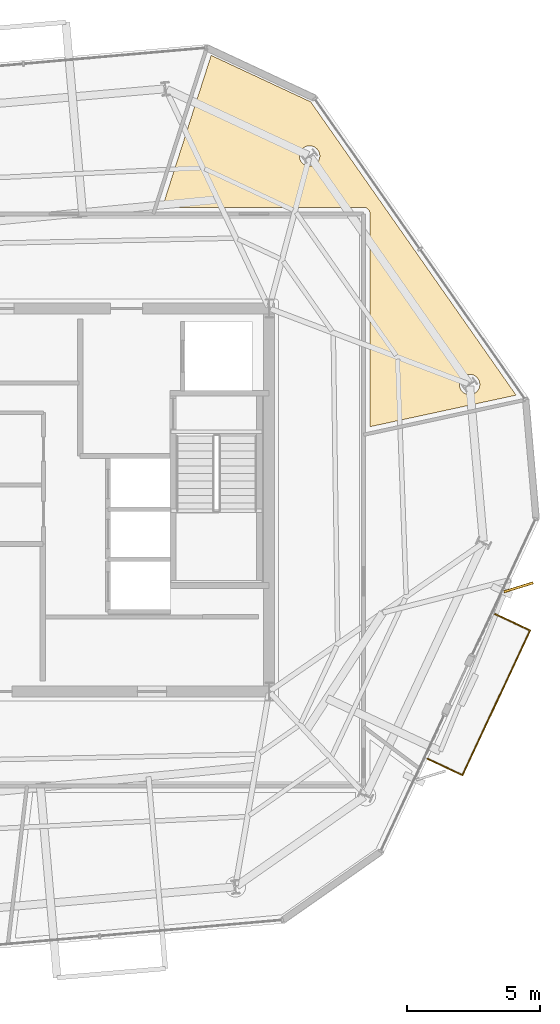
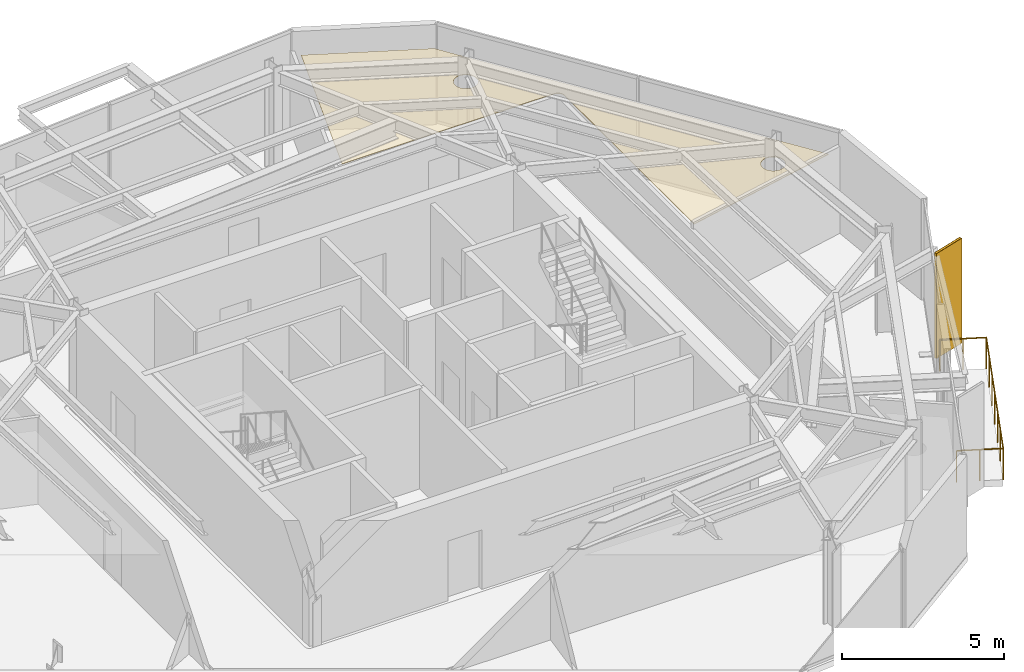
# One storey, part 11 of 11: 2 coverings, 1 railing, 1 shading device.
"""IFC4 building model written with IfcOpenShell, lengths in metres."""

from ifc_helpers import new_model, si_unit, direction, frame, origin, origin_2d, place, context, subcontext, project, spatial, polyline, rectangle, circle, outline, extrude, material, layer, layer_set, type_object, element, save


model = new_model("IFC4")

# Units and contexts
model_context = context("Model", 3, precision=1e-05, world=origin(), true_north=direction((0.0, 1.0)))
body_context = subcontext(model_context, "Body", "Model", "MODEL_VIEW")
ifc_project = project(units=[si_unit("LENGTHUNIT", "METRE"), si_unit("AREAUNIT", "SQUARE_METRE"), si_unit("VOLUMEUNIT", "CUBIC_METRE"), si_unit("PLANEANGLEUNIT", "RADIAN"), si_unit("MASSUNIT", "GRAM", prefix="KILO")], contexts=[model_context])

# Site, building, storey
site_placement = place(None, origin())
site = spatial("IfcSite", under=ifc_project, at=site_placement, CompositionType="ELEMENT")
building_placement = place(site_placement, origin())
building = spatial("IfcBuilding", under=site, at=building_placement, Name="Kranzbogen Civic Tower", CompositionType="ELEMENT")
storey_placement = place(building_placement, frame((0.0, 0.0, 286.199951171875)))
storey = spatial("IfcBuildingStorey", under=building, at=storey_placement, Name="L69", CompositionType="ELEMENT", Elevation=286.199951171875)

# Covering
ifc_material_1 = material(Name="Pale Anodised Aluminium", Category="aluminium")
ifc_layer_1 = layer(ifc_material_1, 0.02490234375, Name="Pale Anodised Aluminium")
ifc_layer_set_1 = layer_set([ifc_layer_1], Name="Pale Anodised Aluminium")
covering_type_1 = type_object("IfcCoveringType", Name="Anodised Aluminium Vertical Fin Cladding 25 mm", PredefinedType="CLADDING", material=ifc_layer_set_1)
covering_1_placement = place(storey_placement, frame((42.174072265625, 21.719970703125, -0.139892578125), z_axis=(0.0, 0.0, 1.0), x_axis=(0.955885343123, 0.293740039496, 0.0)))
element("IfcCovering", 1, at=covering_1_placement, inside=storey, type_object=covering_type_1, Name="L69 vertical fin pale-metal cladding F5-4", PredefinedType="CLADDING", context=body_context, shape_type="SweptSolid", body=[
    extrude(rectangle(XDim=1.14990234375, YDim=0.094970703125, at=origin_2d()), origin(), (0.0, 0.0, 1.0), 3.9599609375),
])

# Railing
ifc_material_2 = material(Name="Anodised Bronze Aluminium", Category="aluminium")
railing_type = type_object("IfcRailingType", Name="Cantilevered Balcony Glass and Bronze Balustrade 1200", PredefinedType="BALUSTRADE", material=ifc_material_2)
railing_placement = place(storey_placement, frame((38.75390625, 15.27587890625, 0.0)))
element("IfcRailing", 2, at=railing_placement, inside=storey, type_object=railing_type, Name="L69 exterior terrace balustrade L69-TB1", PredefinedType="BALUSTRADE", context=body_context, shape_type="SweptSolid", body=[
    extrude(circle(Radius=0.02392578125, at=origin_2d()), frame((0.0, 0.0, 1.17578125), z_axis=(0.906316436236, -0.422599712977, 0.0), x_axis=(0.422599712977, 0.906316436236, 0.0)), (0.0, 0.0, 1.0), 1.449951171875),
    extrude(circle(Radius=0.02392578125, at=origin_2d()), frame((1.314208984375, -0.61279296875, 1.17578125), z_axis=(0.422633743245, 0.906300567732, 0.0), x_axis=(-0.906300567732, 0.422633743245, 0.0)), (0.0, 0.0, 1.0), 6.000244140625),
    extrude(circle(Radius=0.02392578125, at=origin_2d()), frame((3.85009765625, 4.8251953125, 1.17578125), z_axis=(-0.906221851337, 0.422802502547, 0.0), x_axis=(-0.422802502547, -0.906221851337, 0.0)), (0.0, 0.0, 1.0), 1.449951171875),
    extrude(circle(Radius=0.02099609375, at=origin_2d()), origin(), (0.0, 0.0, 1.0), 1.15185546875),
    extrude(circle(Radius=0.02099609375, at=origin_2d()), frame((0.6572265625, -0.306396484375, 0.0)), (0.0, 0.0, 1.0), 1.15185546875),
    extrude(circle(Radius=0.02099609375, at=origin_2d()), frame((1.314208984375, -0.61279296875, 0.0)), (0.0, 0.0, 1.0), 1.15185546875),
    extrude(circle(Radius=0.02099609375, at=origin_2d()), frame((1.73681640625, 0.29345703125, 0.0)), (0.0, 0.0, 1.0), 1.15185546875),
    extrude(circle(Radius=0.02099609375, at=origin_2d()), frame((2.159423828125, 1.199951171875, 0.0)), (0.0, 0.0, 1.0), 1.15185546875),
    extrude(circle(Radius=0.02099609375, at=origin_2d()), frame((2.58203125, 2.106201171875, 0.0)), (0.0, 0.0, 1.0), 1.15185546875),
    extrude(circle(Radius=0.02099609375, at=origin_2d()), frame((3.0048828125, 3.012451171875, 0.0)), (0.0, 0.0, 1.0), 1.15185546875),
    extrude(circle(Radius=0.02099609375, at=origin_2d()), frame((3.427490234375, 3.9189453125, 0.0)), (0.0, 0.0, 1.0), 1.15185546875),
    extrude(circle(Radius=0.02099609375, at=origin_2d()), frame((3.85009765625, 4.8251953125, 0.0)), (0.0, 0.0, 1.0), 1.15185546875),
    extrude(circle(Radius=0.02099609375, at=origin_2d()), frame((3.193115234375, 5.1318359375, 0.0)), (0.0, 0.0, 1.0), 1.15185546875),
    extrude(circle(Radius=0.02099609375, at=origin_2d()), frame((2.5361328125, 5.438232421875, 0.0)), (0.0, 0.0, 1.0), 1.15185546875),
])

# Shading device
shading_device_type = type_object("IfcShadingDeviceType", Name="Pale Anodised Aluminium Crown Fin 1150x75", PredefinedType="USERDEFINED", material=ifc_material_1)
shading_device_placement = place(storey_placement, frame((42.174072265625, 21.719970703125, -0.139892578125), z_axis=(0.0, 0.0, 1.0), x_axis=(0.955885343123, 0.293740039496, 0.0)))
element("IfcShadingDevice", 3, at=shading_device_placement, inside=storey, type_object=shading_device_type, Name="L69 vertical exterior shading fin F5-4", ObjectType="FIN", PredefinedType="USERDEFINED", context=body_context, shape_type="SweptSolid", body=[
    extrude(rectangle(XDim=1.14990234375, YDim=0.074951171875, at=origin_2d()), origin(), (0.0, 0.0, 1.0), 3.9599609375),
])

# Covering
ifc_material_3 = material(Name="Perforated Acoustic Gypsum Ceiling")
ifc_layer_2 = layer(ifc_material_3, 0.02490234375, Name="Perforated Acoustic Gypsum Ceiling")
ifc_layer_set_2 = layer_set([ifc_layer_2], Name="Perforated Acoustic Gypsum Ceiling")
covering_type_2 = type_object("IfcCoveringType", Name="Perforated Acoustic Mineral Ceiling Tile 25 mm", PredefinedType="CEILING", material=ifc_layer_set_2)
covering_2_placement = place(storey_placement, frame((0.0, 0.0, 2.900146484375)))
element("IfcCovering", 4, at=covering_2_placement, inside=storey, type_object=covering_type_2, Name="L69 Hospitality Catering Kitchen acoustic ceiling", PredefinedType="CEILING", context=body_context, shape_type="SweptSolid", body=[
    extrude(outline(polyline([(36.594970703125, 27.7548828125), (36.594970703125, 35.75), (36.594970703125, 35.759033203125), (36.593994140625, 35.764892578125), (36.593017578125, 35.782958984375), (36.592041015625, 35.7890625), (36.587890625, 35.805908203125), (36.5869140625, 35.81298828125), (36.58203125, 35.830078125), (36.580078125, 35.8359375), (36.572998046875, 35.85205078125), (36.570068359375, 35.85791015625), (36.56201171875, 35.873046875), (36.55810546875, 35.87890625), (36.549072265625, 35.89306640625), (36.544921875, 35.89794921875), (36.533935546875, 35.912109375), (36.529052734375, 35.9169921875), (36.51708984375, 35.928955078125), (36.511962890625, 35.93408203125), (36.498046875, 35.945068359375), (36.492919921875, 35.948974609375), (36.47900390625, 35.9580078125), (36.472900390625, 35.9619140625), (36.4580078125, 35.969970703125), (36.451904296875, 35.972900390625), (36.43603515625, 35.97998046875), (36.429931640625, 35.98193359375), (36.4130859375, 35.987060546875), (36.406005859375, 35.988037109375), (36.388916015625, 35.991943359375), (36.383056640625, 35.992919921875), (36.364990234375, 35.993896484375), (36.35888671875, 35.9951171875), (36.35009765625, 35.9951171875), (28.7900390625, 35.9951171875), (30.6240234375, 41.7041015625), (34.363037109375, 39.9599609375), (42.0791015625, 28.93896484375), (36.594970703125, 27.7548828125)]), holes=[polyline([(40.68798828125, 29.19189453125), (40.672119140625, 29.157958984375), (40.653076171875, 29.1259765625), (40.6298828125, 29.095947265625), (40.60498046875, 29.068115234375), (40.576904296875, 29.04296875), (40.547119140625, 29.02001953125), (40.514892578125, 29.0009765625), (40.48095703125, 28.985107421875), (40.445068359375, 28.971923828125), (40.408935546875, 28.962890625), (40.3720703125, 28.95703125), (40.333984375, 28.9560546875), (40.2958984375, 28.95703125), (40.259033203125, 28.962890625), (40.222900390625, 28.971923828125), (40.18701171875, 28.985107421875), (40.153076171875, 29.0009765625), (40.12109375, 29.02001953125), (40.091064453125, 29.04296875), (40.06298828125, 29.068115234375), (40.0380859375, 29.095947265625), (40.014892578125, 29.1259765625), (39.99609375, 29.157958984375), (39.97998046875, 29.19189453125), (39.967041015625, 29.22802734375), (39.9580078125, 29.263916015625), (39.951904296875, 29.301025390625), (39.950927734375, 29.339111328125), (39.951904296875, 29.376953125), (39.9580078125, 29.4140625), (39.967041015625, 29.449951171875), (39.97998046875, 29.486083984375), (39.99609375, 29.52001953125), (40.014892578125, 29.552001953125), (40.0380859375, 29.58203125), (40.06298828125, 29.610107421875), (40.091064453125, 29.635009765625), (40.12109375, 29.657958984375), (40.153076171875, 29.677001953125), (40.18701171875, 29.693115234375), (40.222900390625, 29.7060546875), (40.259033203125, 29.715087890625), (40.2958984375, 29.720947265625), (40.333984375, 29.721923828125), (40.3720703125, 29.720947265625), (40.408935546875, 29.715087890625), (40.445068359375, 29.7060546875), (40.48095703125, 29.693115234375), (40.514892578125, 29.677001953125), (40.547119140625, 29.657958984375), (40.576904296875, 29.635009765625), (40.60498046875, 29.610107421875), (40.6298828125, 29.58203125), (40.653076171875, 29.552001953125), (40.672119140625, 29.52001953125), (40.68798828125, 29.486083984375), (40.700927734375, 29.449951171875), (40.7099609375, 29.4140625), (40.716064453125, 29.376953125), (40.717041015625, 29.339111328125), (40.716064453125, 29.301025390625), (40.7099609375, 29.263916015625), (40.700927734375, 29.22802734375), (40.68798828125, 29.19189453125)]), polyline([(34.676025390625, 37.779052734375), (34.659912109375, 37.7451171875), (34.64111328125, 37.712890625), (34.617919921875, 37.68310546875), (34.593017578125, 37.655029296875), (34.56494140625, 37.6298828125), (34.534912109375, 37.60693359375), (34.5029296875, 37.587890625), (34.468994140625, 37.572021484375), (34.43310546875, 37.55908203125), (34.39697265625, 37.550048828125), (34.360107421875, 37.5439453125), (34.322021484375, 37.54296875), (34.283935546875, 37.5439453125), (34.2470703125, 37.550048828125), (34.2109375, 37.55908203125), (34.175048828125, 37.572021484375), (34.14111328125, 37.587890625), (34.10888671875, 37.60693359375), (34.0791015625, 37.6298828125), (34.051025390625, 37.655029296875), (34.02587890625, 37.68310546875), (34.0029296875, 37.712890625), (33.98388671875, 37.7451171875), (33.968017578125, 37.779052734375), (33.955078125, 37.81494140625), (33.946044921875, 37.85107421875), (33.93994140625, 37.887939453125), (33.93896484375, 37.926025390625), (33.93994140625, 37.964111328125), (33.946044921875, 38.0009765625), (33.955078125, 38.037109375), (33.968017578125, 38.072998046875), (33.98388671875, 38.10693359375), (34.0029296875, 38.138916015625), (34.02587890625, 38.1689453125), (34.051025390625, 38.197021484375), (34.0791015625, 38.221923828125), (34.10888671875, 38.2451171875), (34.14111328125, 38.263916015625), (34.175048828125, 38.280029296875), (34.2109375, 38.29296875), (34.2470703125, 38.302001953125), (34.283935546875, 38.30810546875), (34.322021484375, 38.30908203125), (34.360107421875, 38.30810546875), (34.39697265625, 38.302001953125), (34.43310546875, 38.29296875), (34.468994140625, 38.280029296875), (34.5029296875, 38.263916015625), (34.534912109375, 38.2451171875), (34.56494140625, 38.221923828125), (34.593017578125, 38.197021484375), (34.617919921875, 38.1689453125), (34.64111328125, 38.138916015625), (34.659912109375, 38.10693359375), (34.676025390625, 38.072998046875), (34.68896484375, 38.037109375), (34.697998046875, 38.0009765625), (34.7041015625, 37.964111328125), (34.705078125, 37.926025390625), (34.7041015625, 37.887939453125), (34.697998046875, 37.85107421875), (34.68896484375, 37.81494140625), (34.676025390625, 37.779052734375)])]), origin(), (0.0, 0.0, 1.0), 0.02490234375),
])

save(model, "model.ifc")
